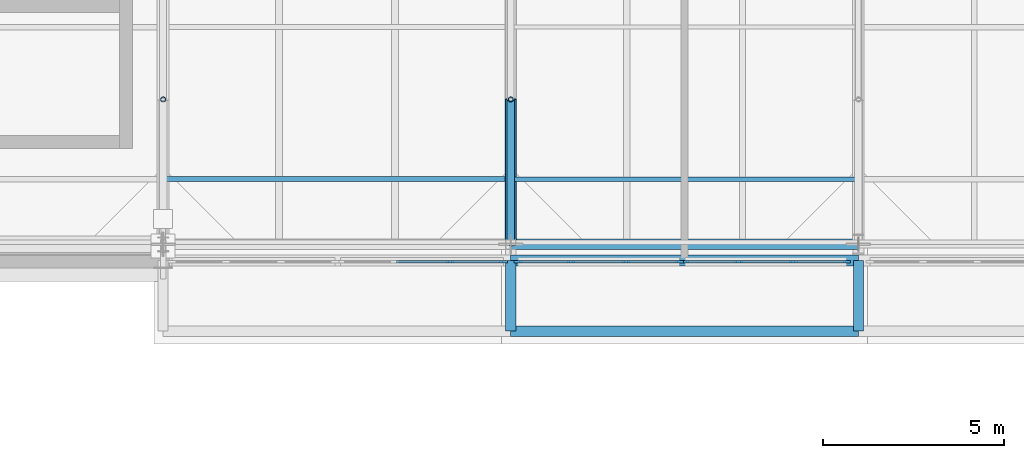
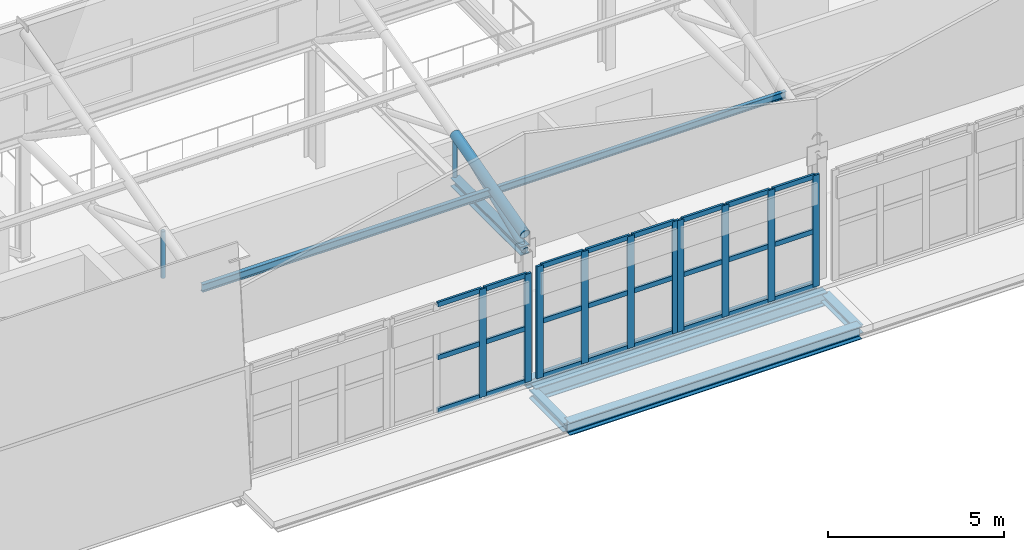
# One storey, part 21 of 89: 41 members, 5 beams, 3 elements without a shape of their own.
"""IFC4 building model written with IfcOpenShell, lengths in metres."""

from ifc_helpers import new_model, si_unit, direction, frame, origin, origin_2d, place, context, subcontext, project, spatial, rectangle, hollow_circle, i_section, extrude, material, layer, layer_set, material_profile, profile_set, type_object, element, aggregate, save


model = new_model("IFC4")

# Units and contexts
model_context = context("Model", 3, precision=1e-05, world=origin(), true_north=direction((0.0, 1.0)))
body_context = subcontext(model_context, "Body", "Model", "MODEL_VIEW")
ifc_project = project(units=[si_unit("LENGTHUNIT", "METRE"), si_unit("AREAUNIT", "SQUARE_METRE"), si_unit("VOLUMEUNIT", "CUBIC_METRE"), si_unit("PLANEANGLEUNIT", "RADIAN"), si_unit("MASSUNIT", "GRAM", prefix="KILO")], contexts=[model_context])

# Site, building, storey
site_placement = place(None, origin())
site = spatial("IfcSite", under=ifc_project, at=site_placement, CompositionType="ELEMENT")
building_placement = place(site_placement, origin())
building = spatial("IfcBuilding", under=site, at=building_placement, Name="Zereglee Splitstone Museum", CompositionType="ELEMENT")
storey_placement = place(building_placement, frame((0.0, 0.0, 21.300048828125)))
storey = spatial("IfcBuildingStorey", under=building, at=storey_placement, Name="L04", CompositionType="ELEMENT", Elevation=21.300048828125)

# Member
ifc_material_1 = material(Name="Steel S355J2H", Category="steel")
ifc_material_profile_1 = material_profile(ifc_material_1, hollow_circle(Radius=0.109619140625, WallThickness=0.010009765625, at=origin_2d()), Name="CHS 219.1x10")
ifc_profile_set_1 = profile_set([ifc_material_profile_1], Name="Steel S355J2H")
member_type_1 = type_object("IfcMemberType", Name="TB-03", PredefinedType="BRACE", material=ifc_profile_set_1)
member_1_placement = place(storey_placement, frame((106.800048828125, 9.60009765625, 4.199951171875), z_axis=(0.0, 0.927136001435, 0.374725012299), x_axis=(-1.0, 0.0, 0.0)))
element("IfcMember", 1, at=member_1_placement, inside=storey, type_object=member_type_1, Name="Roof Truss ST-04 Diagonal 1.1", PredefinedType="BRACE", context=body_context, shape_type="SweptSolid", body=[
    extrude(hollow_circle(Radius=0.109619140625, WallThickness=0.010009765625, at=origin_2d()), origin(), (0.0, 0.0, 1.0), 4.314453125),
])

# Curtain wall, members
ifc_material_2 = material(Name="Triple-glazed low-E argon glass and bronze-anodised aluminium", Category="aluminium")
ifc_layer_1 = layer(ifc_material_2, 0.219970703125)
ifc_layer_set_1 = layer_set([ifc_layer_1], Name="Triple-glazed low-E argon glass and bronze-anodised aluminium")
curtain_wall_type_1 = type_object("IfcCurtainWallType", Name="CW-0458-376", PredefinedType="USERDEFINED", material=ifc_layer_set_1)
curtain_wall_1_placement = place(storey_placement, origin())
curtain_wall_1 = element("IfcCurtainWall", 2, at=curtain_wall_1_placement, inside=storey, type_object=curtain_wall_type_1, Name="Glazed Curtain Wall CW-0458-376 (L04)", ObjectType="GLAZED CURTAIN WALL", PredefinedType="USERDEFINED")
ifc_material_3 = material(Name="Thermally broken bronze-anodised aluminium", Category="aluminium")
ifc_material_profile_2 = material_profile(ifc_material_3, rectangle(XDim=0.074951171875, YDim=0.219970703125, at=origin_2d()), Name="CW MULL 75x220")
ifc_profile_set_2 = profile_set([ifc_material_profile_2], Name="Thermally broken bronze-anodised aluminium")
member_type_2 = type_object("IfcMemberType", Name="CWM-02", PredefinedType="MULLION", material=ifc_profile_set_2)
member_2_placement = place(storey_placement, frame((105.116455078125, 9.1201171875, 0.0), z_axis=(0.0, 0.0, 1.0), x_axis=(0.0, 1.0, 0.0)))
member_2 = element("IfcMember", 3, at=member_2_placement, type_object=member_type_2, Name="CW-0458-376 mullion 3", PredefinedType="MULLION", context=body_context, shape_type="SweptSolid", body=[
    extrude(rectangle(XDim=0.074951171875, YDim=0.219970703125, at=origin_2d()), origin(), (0.0, 0.0, 1.0), 3.760009765625),
])
member_3_placement = place(storey_placement, frame((106.6044921875, 9.1201171875, 0.0), z_axis=(0.0, 0.0, 1.0), x_axis=(0.0, 1.0, 0.0)))
member_3 = element("IfcMember", 4, at=member_3_placement, type_object=member_type_2, Name="CW-0458-376 mullion 4", PredefinedType="MULLION", context=body_context, shape_type="SweptSolid", body=[
    extrude(rectangle(XDim=0.074951171875, YDim=0.219970703125, at=origin_2d()), origin(), (0.0, 0.0, 1.0), 3.760009765625),
])

ifc_layer_2 = layer(ifc_material_2, 0.219970703125)
ifc_layer_set_2 = layer_set([ifc_layer_2], Name="Triple-glazed low-E argon glass and bronze-anodised aluminium")
curtain_wall_type_2 = type_object("IfcCurtainWallType", Name="CW-0454-390", PredefinedType="USERDEFINED", material=ifc_layer_set_2)
curtain_wall_2_placement = place(storey_placement, origin())
curtain_wall_2 = element("IfcCurtainWall", 5, at=curtain_wall_2_placement, inside=storey, type_object=curtain_wall_type_2, Name="Glazed Curtain Wall CW-0454-390 (L04)", ObjectType="GLAZED CURTAIN WALL", PredefinedType="USERDEFINED")
member_4_placement = place(storey_placement, frame((106.99560546875, 9.1201171875, 0.0), z_axis=(0.0, 0.0, 1.0), x_axis=(0.0, 1.0, 0.0)))
member_4 = element("IfcMember", 6, at=member_4_placement, type_object=member_type_2, Name="CW-0454-390 mullion 1", PredefinedType="MULLION", context=body_context, shape_type="SweptSolid", body=[
    extrude(rectangle(XDim=0.074951171875, YDim=0.219970703125, at=origin_2d()), origin(), (0.0, 0.0, 1.0), 3.89990234375),
])
member_5_placement = place(storey_placement, frame((108.47119140625, 9.1201171875, 0.0), z_axis=(0.0, 0.0, 1.0), x_axis=(0.0, 1.0, 0.0)))
member_5 = element("IfcMember", 7, at=member_5_placement, type_object=member_type_2, Name="CW-0454-390 mullion 2", PredefinedType="MULLION", context=body_context, shape_type="SweptSolid", body=[
    extrude(rectangle(XDim=0.074951171875, YDim=0.219970703125, at=origin_2d()), origin(), (0.0, 0.0, 1.0), 3.89990234375),
])
member_6_placement = place(storey_placement, frame((109.984375, 9.1201171875, 0.0), z_axis=(0.0, 0.0, 1.0), x_axis=(0.0, 1.0, 0.0)))
member_6 = element("IfcMember", 8, at=member_6_placement, type_object=member_type_2, Name="CW-0454-390 mullion 3", PredefinedType="MULLION", context=body_context, shape_type="SweptSolid", body=[
    extrude(rectangle(XDim=0.074951171875, YDim=0.219970703125, at=origin_2d()), origin(), (0.0, 0.0, 1.0), 3.89990234375),
])
member_7_placement = place(storey_placement, frame((111.4599609375, 9.1201171875, 0.0), z_axis=(0.0, 0.0, 1.0), x_axis=(0.0, 1.0, 0.0)))
member_7 = element("IfcMember", 9, at=member_7_placement, type_object=member_type_2, Name="CW-0454-390 mullion 4", PredefinedType="MULLION", context=body_context, shape_type="SweptSolid", body=[
    extrude(rectangle(XDim=0.074951171875, YDim=0.219970703125, at=origin_2d()), origin(), (0.0, 0.0, 1.0), 3.89990234375),
])

ifc_layer_3 = layer(ifc_material_2, 0.219970703125)
ifc_layer_set_3 = layer_set([ifc_layer_3], Name="Triple-glazed low-E argon glass and bronze-anodised aluminium")
curtain_wall_type_3 = type_object("IfcCurtainWallType", Name="CW-0454-388", PredefinedType="USERDEFINED", material=ifc_layer_set_3)
curtain_wall_3_placement = place(storey_placement, origin())
curtain_wall_3 = element("IfcCurtainWall", 10, at=curtain_wall_3_placement, inside=storey, type_object=curtain_wall_type_3, Name="Glazed Curtain Wall CW-0454-388 (L04)", ObjectType="GLAZED CURTAIN WALL", PredefinedType="USERDEFINED")
member_8_placement = place(storey_placement, frame((111.614990234375, 9.1201171875, 0.0), z_axis=(0.0, 0.0, 1.0), x_axis=(0.0, 1.0, 0.0)))
member_8 = element("IfcMember", 11, at=member_8_placement, type_object=member_type_2, Name="CW-0454-388 mullion 1", PredefinedType="MULLION", context=body_context, shape_type="SweptSolid", body=[
    extrude(rectangle(XDim=0.074951171875, YDim=0.219970703125, at=origin_2d()), origin(), (0.0, 0.0, 1.0), 3.8798828125),
])
member_9_placement = place(storey_placement, frame((113.090576171875, 9.1201171875, 0.0), z_axis=(0.0, 0.0, 1.0), x_axis=(0.0, 1.0, 0.0)))
member_9 = element("IfcMember", 12, at=member_9_placement, type_object=member_type_2, Name="CW-0454-388 mullion 2", PredefinedType="MULLION", context=body_context, shape_type="SweptSolid", body=[
    extrude(rectangle(XDim=0.074951171875, YDim=0.219970703125, at=origin_2d()), origin(), (0.0, 0.0, 1.0), 3.8798828125),
])
member_10_placement = place(storey_placement, frame((114.603759765625, 9.1201171875, 0.0), z_axis=(0.0, 0.0, 1.0), x_axis=(0.0, 1.0, 0.0)))
member_10 = element("IfcMember", 13, at=member_10_placement, type_object=member_type_2, Name="CW-0454-388 mullion 3", PredefinedType="MULLION", context=body_context, shape_type="SweptSolid", body=[
    extrude(rectangle(XDim=0.074951171875, YDim=0.219970703125, at=origin_2d()), origin(), (0.0, 0.0, 1.0), 3.8798828125),
])
member_11_placement = place(storey_placement, frame((116.07958984375, 9.1201171875, 0.0), z_axis=(0.0, 0.0, 1.0), x_axis=(0.0, 1.0, 0.0)))
member_11 = element("IfcMember", 14, at=member_11_placement, type_object=member_type_2, Name="CW-0454-388 mullion 4", PredefinedType="MULLION", context=body_context, shape_type="SweptSolid", body=[
    extrude(rectangle(XDim=0.074951171875, YDim=0.219970703125, at=origin_2d()), origin(), (0.0, 0.0, 1.0), 3.8798828125),
])

# Member
ifc_material_profile_3 = material_profile(ifc_material_3, rectangle(XDim=0.074951171875, YDim=0.1650390625, at=origin_2d()), Name="CW TRAN 75x165")
ifc_profile_set_3 = profile_set([ifc_material_profile_3], Name="Thermally broken bronze-anodised aluminium")
member_type_3 = type_object("IfcMemberType", Name="CWT-02", PredefinedType="USERDEFINED", material=ifc_profile_set_3)
member_12_placement = place(storey_placement, frame((103.628173828125, 9.1201171875, 0.037353515625), z_axis=(1.0, 0.0, 0.0), x_axis=(0.0, 1.0, 0.0)))
member_12 = element("IfcMember", 15, at=member_12_placement, type_object=member_type_3, Name="CW-0458-376 transom 2.1", ObjectType="TRANSOM", PredefinedType="USERDEFINED", context=body_context, shape_type="SweptSolid", body=[
    extrude(rectangle(XDim=0.074951171875, YDim=0.1650390625, at=origin_2d()), origin(), (0.0, 0.0, 1.0), 1.45068359375),
])

member_13_placement = place(storey_placement, frame((103.628173828125, 9.1201171875, 1.8798828125), z_axis=(1.0, 0.0, 0.0), x_axis=(0.0, 1.0, 0.0)))
member_13 = element("IfcMember", 16, at=member_13_placement, type_object=member_type_3, Name="CW-0458-376 transom 2.2", ObjectType="TRANSOM", PredefinedType="USERDEFINED", context=body_context, shape_type="SweptSolid", body=[
    extrude(rectangle(XDim=0.074951171875, YDim=0.1650390625, at=origin_2d()), origin(), (0.0, 0.0, 1.0), 1.45068359375),
])

member_14_placement = place(storey_placement, frame((103.628173828125, 9.1201171875, 3.722412109375), z_axis=(1.0, 0.0, 0.0), x_axis=(0.0, 1.0, 0.0)))
member_14 = element("IfcMember", 17, at=member_14_placement, type_object=member_type_3, Name="CW-0458-376 transom 2.3", ObjectType="TRANSOM", PredefinedType="USERDEFINED", context=body_context, shape_type="SweptSolid", body=[
    extrude(rectangle(XDim=0.074951171875, YDim=0.1650390625, at=origin_2d()), origin(), (0.0, 0.0, 1.0), 1.45068359375),
])

member_15_placement = place(storey_placement, frame((105.15380859375, 9.1201171875, 0.037353515625), z_axis=(1.0, 0.0, 0.0), x_axis=(0.0, 1.0, 0.0)))
member_15 = element("IfcMember", 18, at=member_15_placement, type_object=member_type_3, Name="CW-0458-376 transom 3.1", ObjectType="TRANSOM", PredefinedType="USERDEFINED", context=body_context, shape_type="SweptSolid", body=[
    extrude(rectangle(XDim=0.074951171875, YDim=0.1650390625, at=origin_2d()), origin(), (0.0, 0.0, 1.0), 1.4130859375),
])

member_16_placement = place(storey_placement, frame((105.15380859375, 9.1201171875, 1.8798828125), z_axis=(1.0, 0.0, 0.0), x_axis=(0.0, 1.0, 0.0)))
member_16 = element("IfcMember", 19, at=member_16_placement, type_object=member_type_3, Name="CW-0458-376 transom 3.2", ObjectType="TRANSOM", PredefinedType="USERDEFINED", context=body_context, shape_type="SweptSolid", body=[
    extrude(rectangle(XDim=0.074951171875, YDim=0.1650390625, at=origin_2d()), origin(), (0.0, 0.0, 1.0), 1.4130859375),
])

member_17_placement = place(storey_placement, frame((105.15380859375, 9.1201171875, 3.722412109375), z_axis=(1.0, 0.0, 0.0), x_axis=(0.0, 1.0, 0.0)))
member_17 = element("IfcMember", 20, at=member_17_placement, type_object=member_type_3, Name="CW-0458-376 transom 3.3", ObjectType="TRANSOM", PredefinedType="USERDEFINED", context=body_context, shape_type="SweptSolid", body=[
    extrude(rectangle(XDim=0.074951171875, YDim=0.1650390625, at=origin_2d()), origin(), (0.0, 0.0, 1.0), 1.4130859375),
])

aggregate(curtain_wall_1, [member_2, member_3, member_12, member_13, member_14, member_15, member_16, member_17])

member_18_placement = place(storey_placement, frame((107.032958984375, 9.1201171875, 0.037353515625), z_axis=(1.0, 0.0, 0.0), x_axis=(0.0, 1.0, 0.0)))
member_18 = element("IfcMember", 21, at=member_18_placement, type_object=member_type_3, Name="CW-0454-390 transom 1.1", ObjectType="TRANSOM", PredefinedType="USERDEFINED", context=body_context, shape_type="SweptSolid", body=[
    extrude(rectangle(XDim=0.074951171875, YDim=0.1650390625, at=origin_2d()), origin(), (0.0, 0.0, 1.0), 1.400634765625),
])

member_19_placement = place(storey_placement, frame((107.032958984375, 9.1201171875, 1.949951171875), z_axis=(1.0, 0.0, 0.0), x_axis=(0.0, 1.0, 0.0)))
member_19 = element("IfcMember", 22, at=member_19_placement, type_object=member_type_3, Name="CW-0454-390 transom 1.2", ObjectType="TRANSOM", PredefinedType="USERDEFINED", context=body_context, shape_type="SweptSolid", body=[
    extrude(rectangle(XDim=0.074951171875, YDim=0.1650390625, at=origin_2d()), origin(), (0.0, 0.0, 1.0), 1.400634765625),
])

member_20_placement = place(storey_placement, frame((107.032958984375, 9.1201171875, 3.862548828125), z_axis=(1.0, 0.0, 0.0), x_axis=(0.0, 1.0, 0.0)))
member_20 = element("IfcMember", 23, at=member_20_placement, type_object=member_type_3, Name="CW-0454-390 transom 1.3", ObjectType="TRANSOM", PredefinedType="USERDEFINED", context=body_context, shape_type="SweptSolid", body=[
    extrude(rectangle(XDim=0.074951171875, YDim=0.1650390625, at=origin_2d()), origin(), (0.0, 0.0, 1.0), 1.400634765625),
])

member_21_placement = place(storey_placement, frame((108.508544921875, 9.1201171875, 0.037353515625), z_axis=(1.0, 0.0, 0.0), x_axis=(0.0, 1.0, 0.0)))
member_21 = element("IfcMember", 24, at=member_21_placement, type_object=member_type_3, Name="CW-0454-390 transom 2.1", ObjectType="TRANSOM", PredefinedType="USERDEFINED", context=body_context, shape_type="SweptSolid", body=[
    extrude(rectangle(XDim=0.074951171875, YDim=0.1650390625, at=origin_2d()), origin(), (0.0, 0.0, 1.0), 1.438232421875),
])

member_22_placement = place(storey_placement, frame((108.508544921875, 9.1201171875, 1.949951171875), z_axis=(1.0, 0.0, 0.0), x_axis=(0.0, 1.0, 0.0)))
member_22 = element("IfcMember", 25, at=member_22_placement, type_object=member_type_3, Name="CW-0454-390 transom 2.2", ObjectType="TRANSOM", PredefinedType="USERDEFINED", context=body_context, shape_type="SweptSolid", body=[
    extrude(rectangle(XDim=0.074951171875, YDim=0.1650390625, at=origin_2d()), origin(), (0.0, 0.0, 1.0), 1.438232421875),
])

member_23_placement = place(storey_placement, frame((108.508544921875, 9.1201171875, 3.862548828125), z_axis=(1.0, 0.0, 0.0), x_axis=(0.0, 1.0, 0.0)))
member_23 = element("IfcMember", 26, at=member_23_placement, type_object=member_type_3, Name="CW-0454-390 transom 2.3", ObjectType="TRANSOM", PredefinedType="USERDEFINED", context=body_context, shape_type="SweptSolid", body=[
    extrude(rectangle(XDim=0.074951171875, YDim=0.1650390625, at=origin_2d()), origin(), (0.0, 0.0, 1.0), 1.438232421875),
])

member_24_placement = place(storey_placement, frame((110.021728515625, 9.1201171875, 0.037353515625), z_axis=(1.0, 0.0, 0.0), x_axis=(0.0, 1.0, 0.0)))
member_24 = element("IfcMember", 27, at=member_24_placement, type_object=member_type_3, Name="CW-0454-390 transom 3.1", ObjectType="TRANSOM", PredefinedType="USERDEFINED", context=body_context, shape_type="SweptSolid", body=[
    extrude(rectangle(XDim=0.074951171875, YDim=0.1650390625, at=origin_2d()), origin(), (0.0, 0.0, 1.0), 1.40087890625),
])

member_25_placement = place(storey_placement, frame((110.021728515625, 9.1201171875, 1.949951171875), z_axis=(1.0, 0.0, 0.0), x_axis=(0.0, 1.0, 0.0)))
member_25 = element("IfcMember", 28, at=member_25_placement, type_object=member_type_3, Name="CW-0454-390 transom 3.2", ObjectType="TRANSOM", PredefinedType="USERDEFINED", context=body_context, shape_type="SweptSolid", body=[
    extrude(rectangle(XDim=0.074951171875, YDim=0.1650390625, at=origin_2d()), origin(), (0.0, 0.0, 1.0), 1.40087890625),
])

member_26_placement = place(storey_placement, frame((110.021728515625, 9.1201171875, 3.862548828125), z_axis=(1.0, 0.0, 0.0), x_axis=(0.0, 1.0, 0.0)))
member_26 = element("IfcMember", 29, at=member_26_placement, type_object=member_type_3, Name="CW-0454-390 transom 3.3", ObjectType="TRANSOM", PredefinedType="USERDEFINED", context=body_context, shape_type="SweptSolid", body=[
    extrude(rectangle(XDim=0.074951171875, YDim=0.1650390625, at=origin_2d()), origin(), (0.0, 0.0, 1.0), 1.40087890625),
])

aggregate(curtain_wall_2, [member_4, member_5, member_6, member_7, member_18, member_19, member_20, member_21, member_22, member_23, member_24, member_25, member_26])

member_27_placement = place(storey_placement, frame((111.652587890625, 9.1201171875, 0.037353515625), z_axis=(1.0, 0.0, 0.0), x_axis=(0.0, 1.0, 0.0)))
member_27 = element("IfcMember", 30, at=member_27_placement, type_object=member_type_3, Name="CW-0454-388 transom 1.1", ObjectType="TRANSOM", PredefinedType="USERDEFINED", context=body_context, shape_type="SweptSolid", body=[
    extrude(rectangle(XDim=0.074951171875, YDim=0.1650390625, at=origin_2d()), origin(), (0.0, 0.0, 1.0), 1.400634765625),
])

member_28_placement = place(storey_placement, frame((111.652587890625, 9.1201171875, 1.93994140625), z_axis=(1.0, 0.0, 0.0), x_axis=(0.0, 1.0, 0.0)))
member_28 = element("IfcMember", 31, at=member_28_placement, type_object=member_type_3, Name="CW-0454-388 transom 1.2", ObjectType="TRANSOM", PredefinedType="USERDEFINED", context=body_context, shape_type="SweptSolid", body=[
    extrude(rectangle(XDim=0.074951171875, YDim=0.1650390625, at=origin_2d()), origin(), (0.0, 0.0, 1.0), 1.400634765625),
])

member_29_placement = place(storey_placement, frame((111.652587890625, 9.1201171875, 3.842529296875), z_axis=(1.0, 0.0, 0.0), x_axis=(0.0, 1.0, 0.0)))
member_29 = element("IfcMember", 32, at=member_29_placement, type_object=member_type_3, Name="CW-0454-388 transom 1.3", ObjectType="TRANSOM", PredefinedType="USERDEFINED", context=body_context, shape_type="SweptSolid", body=[
    extrude(rectangle(XDim=0.074951171875, YDim=0.1650390625, at=origin_2d()), origin(), (0.0, 0.0, 1.0), 1.400634765625),
])

member_30_placement = place(storey_placement, frame((113.128173828125, 9.1201171875, 0.037353515625), z_axis=(1.0, 0.0, 0.0), x_axis=(0.0, 1.0, 0.0)))
member_30 = element("IfcMember", 33, at=member_30_placement, type_object=member_type_3, Name="CW-0454-388 transom 2.1", ObjectType="TRANSOM", PredefinedType="USERDEFINED", context=body_context, shape_type="SweptSolid", body=[
    extrude(rectangle(XDim=0.074951171875, YDim=0.1650390625, at=origin_2d()), origin(), (0.0, 0.0, 1.0), 1.438232421875),
])

member_31_placement = place(storey_placement, frame((113.128173828125, 9.1201171875, 1.93994140625), z_axis=(1.0, 0.0, 0.0), x_axis=(0.0, 1.0, 0.0)))
member_31 = element("IfcMember", 34, at=member_31_placement, type_object=member_type_3, Name="CW-0454-388 transom 2.2", ObjectType="TRANSOM", PredefinedType="USERDEFINED", context=body_context, shape_type="SweptSolid", body=[
    extrude(rectangle(XDim=0.074951171875, YDim=0.1650390625, at=origin_2d()), origin(), (0.0, 0.0, 1.0), 1.438232421875),
])

member_32_placement = place(storey_placement, frame((113.128173828125, 9.1201171875, 3.842529296875), z_axis=(1.0, 0.0, 0.0), x_axis=(0.0, 1.0, 0.0)))
member_32 = element("IfcMember", 35, at=member_32_placement, type_object=member_type_3, Name="CW-0454-388 transom 2.3", ObjectType="TRANSOM", PredefinedType="USERDEFINED", context=body_context, shape_type="SweptSolid", body=[
    extrude(rectangle(XDim=0.074951171875, YDim=0.1650390625, at=origin_2d()), origin(), (0.0, 0.0, 1.0), 1.438232421875),
])

member_33_placement = place(storey_placement, frame((114.641357421875, 9.1201171875, 0.037353515625), z_axis=(1.0, 0.0, 0.0), x_axis=(0.0, 1.0, 0.0)))
member_33 = element("IfcMember", 36, at=member_33_placement, type_object=member_type_3, Name="CW-0454-388 transom 3.1", ObjectType="TRANSOM", PredefinedType="USERDEFINED", context=body_context, shape_type="SweptSolid", body=[
    extrude(rectangle(XDim=0.074951171875, YDim=0.1650390625, at=origin_2d()), origin(), (0.0, 0.0, 1.0), 1.400634765625),
])

member_34_placement = place(storey_placement, frame((114.641357421875, 9.1201171875, 1.93994140625), z_axis=(1.0, 0.0, 0.0), x_axis=(0.0, 1.0, 0.0)))
member_34 = element("IfcMember", 37, at=member_34_placement, type_object=member_type_3, Name="CW-0454-388 transom 3.2", ObjectType="TRANSOM", PredefinedType="USERDEFINED", context=body_context, shape_type="SweptSolid", body=[
    extrude(rectangle(XDim=0.074951171875, YDim=0.1650390625, at=origin_2d()), origin(), (0.0, 0.0, 1.0), 1.400634765625),
])

member_35_placement = place(storey_placement, frame((114.641357421875, 9.1201171875, 3.842529296875), z_axis=(1.0, 0.0, 0.0), x_axis=(0.0, 1.0, 0.0)))
member_35 = element("IfcMember", 38, at=member_35_placement, type_object=member_type_3, Name="CW-0454-388 transom 3.3", ObjectType="TRANSOM", PredefinedType="USERDEFINED", context=body_context, shape_type="SweptSolid", body=[
    extrude(rectangle(XDim=0.074951171875, YDim=0.1650390625, at=origin_2d()), origin(), (0.0, 0.0, 1.0), 1.400634765625),
])

aggregate(curtain_wall_3, [member_8, member_9, member_10, member_11, member_27, member_28, member_29, member_30, member_31, member_32, member_33, member_34, member_35])

# Members
ifc_material_profile_4 = material_profile(ifc_material_1, hollow_circle(Radius=0.161865234375, WallThickness=0.01611328125, at=origin_2d()), Name="CHS 323.9x16")
ifc_profile_set_4 = profile_set([ifc_material_profile_4], Name="Steel S355J2H")
member_type_4 = type_object("IfcMemberType", Name="TC-05", PredefinedType="CHORD", material=ifc_profile_set_4)
member_36_placement = place(storey_placement, frame((106.800048828125, 9.60009765625, 4.75), z_axis=(0.0, 0.966235918422, 0.257658979955), x_axis=(-1.0, 0.0, 0.0)))
element("IfcMember", 39, at=member_36_placement, inside=storey, type_object=member_type_4, Name="Roof Truss ST-04 Top Chord 1.1", PredefinedType="CHORD", context=body_context, shape_type="SweptSolid", body=[
    extrude(hollow_circle(Radius=0.161865234375, WallThickness=0.01611328125, at=origin_2d()), origin(), (0.0, 0.0, 1.0), 4.139892578125),
])
ifc_material_4 = material(Name="Steel S355J2", Category="steel")
ifc_material_profile_5 = material_profile(ifc_material_4, i_section(OverallWidth=0.300048828125, OverallDepth=0.300048828125, WebThickness=0.010986328125, FlangeThickness=0.01904296875, FilletRadius=0.027099609375, at=origin_2d()), Name="HE 300 B")
ifc_profile_set_5 = profile_set([ifc_material_profile_5], Name="Steel S355J2")
member_type_5 = type_object("IfcMemberType", Name="TC-07", PredefinedType="CHORD", material=ifc_profile_set_5)
member_37_placement = place(storey_placement, frame((106.800048828125, 9.60009765625, 4.199951171875), z_axis=(0.0, 1.0, 0.0), x_axis=(-1.0, 0.0, 0.0)))
element("IfcMember", 40, at=member_37_placement, inside=storey, type_object=member_type_5, Name="Roof Truss ST-04 Bottom Chord 1.1", PredefinedType="CHORD", context=body_context, shape_type="SweptSolid", body=[
    extrude(i_section(OverallWidth=0.300048828125, OverallDepth=0.300048828125, WebThickness=0.010986328125, FlangeThickness=0.01904296875, FilletRadius=0.027099609375, at=origin_2d()), origin(), (0.0, 0.0, 1.0), 4.0),
])
ifc_material_profile_6 = material_profile(ifc_material_1, hollow_circle(Radius=0.06982421875, WallThickness=0.008056640625, at=origin_2d()), Name="CHS 139.7x8")
ifc_profile_set_6 = profile_set([ifc_material_profile_6], Name="Steel S355J2H")
member_type_6 = type_object("IfcMemberType", Name="TP-03", PredefinedType="POST", material=ifc_profile_set_6)
for number, where, z_axis, x_axis, name in (
    (41, (97.199951171875, 13.60009765625, 4.199951171875), (0.0, 0.0, 1.0), (1.0, 0.0, 0.0), "Roof Truss ST-03 Post 1.1"),
    (42, (106.800048828125, 13.60009765625, 4.199951171875), (0.0, 0.0, 1.0), (1.0, 0.0, 0.0), "Roof Truss ST-04 Post 1.1"),
):
    element("IfcMember", number, at=place(storey_placement, frame(where, z_axis=z_axis, x_axis=x_axis)), inside=storey, type_object=member_type_6, Name=name, PredefinedType="POST", context=body_context, shape_type="SweptSolid", body=[
        extrude(hollow_circle(Radius=0.06982421875, WallThickness=0.008056640625, at=origin_2d()), origin(), (0.0, 0.0, 1.0), 1.61669921875),
    ])
ifc_material_profile_7 = material_profile(ifc_material_4, i_section(OverallWidth=0.1201171875, OverallDepth=0.239990234375, WebThickness=0.006103515625, FlangeThickness=0.009765625, FilletRadius=0.014892578125, at=origin_2d()), Name="IPE 240")
ifc_profile_set_7 = profile_set([ifc_material_profile_7], Name="Steel S355J2")
member_type_7 = type_object("IfcMemberType", Name="PR-03", PredefinedType="PURLIN", material=ifc_profile_set_7)
member_38_placement = place(storey_placement, frame((106.800048828125, 11.39990234375, 5.18408203125), z_axis=(1.0, 0.0, 0.0), x_axis=(0.0, 1.0, 0.0)))
element("IfcMember", 43, at=member_38_placement, inside=storey, type_object=member_type_7, Name="Sawtooth Roof Purlin B4-S1-1", PredefinedType="PURLIN", context=body_context, shape_type="SweptSolid", body=[
    extrude(i_section(OverallWidth=0.1201171875, OverallDepth=0.239990234375, WebThickness=0.006103515625, FlangeThickness=0.009765625, FilletRadius=0.014892578125, at=origin_2d()), origin(), (0.0, 0.0, 1.0), 9.599853515625),
])
ifc_material_profile_8 = material_profile(ifc_material_4, i_section(OverallWidth=0.135009765625, OverallDepth=0.27001953125, WebThickness=0.006591796875, FlangeThickness=0.01025390625, FilletRadius=0.014892578125, at=origin_2d()), Name="IPE 270")
ifc_profile_set_8 = profile_set([ifc_material_profile_8], Name="Steel S355J2")
member_type_8 = type_object("IfcMemberType", Name="PR-02", PredefinedType="PURLIN", material=ifc_profile_set_8)
member_39_placement = place(storey_placement, frame((97.199951171875, 11.39990234375, 5.168701171875), z_axis=(1.0, 0.0, 0.0), x_axis=(0.0, 1.0, 0.0)))
element("IfcMember", 44, at=member_39_placement, inside=storey, type_object=member_type_8, Name="Sawtooth Roof Purlin B3-S1-1", PredefinedType="PURLIN", context=body_context, shape_type="SweptSolid", body=[
    extrude(i_section(OverallWidth=0.135009765625, OverallDepth=0.27001953125, WebThickness=0.006591796875, FlangeThickness=0.01025390625, FilletRadius=0.014892578125, at=origin_2d()), origin(), (0.0, 0.0, 1.0), 9.60009765625),
])

# Beams
ifc_material_profile_9 = material_profile(ifc_material_4, i_section(OverallWidth=0.280029296875, OverallDepth=0.280029296875, WebThickness=0.010498046875, FlangeThickness=0.01806640625, FilletRadius=0.02392578125, at=origin_2d()), Name="HE 280 B")
ifc_profile_set_9 = profile_set([ifc_material_profile_9], Name="Steel S355J2")
beam_type_1 = type_object("IfcBeamType", Name="SP-03", PredefinedType="SPANDREL", material=ifc_profile_set_9)
beam_placement = place(storey_placement, frame((106.800048828125, 9.60009765625, -0.400146484375), z_axis=(1.0, 0.0, 0.0), x_axis=(0.0, 1.0, 0.0)))
element("IfcBeam", 45, at=beam_placement, inside=storey, type_object=beam_type_1, Name="Primary Girder L04 B (106.8-116.4)", PredefinedType="SPANDREL", context=body_context, shape_type="SweptSolid", body=[
    extrude(i_section(OverallWidth=0.280029296875, OverallDepth=0.280029296875, WebThickness=0.010498046875, FlangeThickness=0.01806640625, FilletRadius=0.02392578125, at=origin_2d()), origin(), (0.0, 0.0, 1.0), 9.599853515625),
])
for number, where, z_axis, x_axis, name in (
    (46, (106.800048828125, 7.199951171875, -0.485107421875), (0.0, 1.0, 0.0), (-1.0, 0.0, 0.0), "Pishtaq Return Tie Beam PSQ-ATRS-1 (106.8)"),
    (47, (116.39990234375, 7.199951171875, -0.485107421875), (0.0, 1.0, 0.0), (-1.0, 0.0, 0.0), "Pishtaq Return Tie Beam PSQ-ATRS-2 (116.4)"),
):
    element("IfcBeam", number, at=place(storey_placement, frame(where, z_axis=z_axis, x_axis=x_axis)), inside=storey, type_object=beam_type_1, Name=name, PredefinedType="SPANDREL", context=body_context, shape_type="SweptSolid", body=[
        extrude(i_section(OverallWidth=0.280029296875, OverallDepth=0.280029296875, WebThickness=0.010498046875, FlangeThickness=0.01806640625, FilletRadius=0.02392578125, at=origin_2d()), origin(), (0.0, 0.0, 1.0), 1.949951171875),
    ])
ifc_material_profile_10 = material_profile(ifc_material_4, i_section(OverallWidth=0.300048828125, OverallDepth=0.449951171875, WebThickness=0.013916015625, FlangeThickness=0.02587890625, FilletRadius=0.027099609375, at=origin_2d()), Name="HE 450 B")
ifc_profile_set_10 = profile_set([ifc_material_profile_10], Name="Steel S355J2")
beam_type_2 = type_object("IfcBeamType", Name="SP-02", PredefinedType="SPANDREL", material=ifc_profile_set_10)
for number, where, z_axis, x_axis, name in (
    (48, (106.800048828125, 9.14990234375, -0.485107421875), (1.0, 0.0, 0.0), (0.0, 1.0, 0.0), "Hovering Soffit Spandrel L04 (106.8-116.4)"),
    (49, (106.800048828125, 7.199951171875, -0.485107421875), (1.0, 0.0, 0.0), (0.0, 1.0, 0.0), "Mughal Pishtaq Cornice Header Beam PSQ-ATRS-2"),
):
    element("IfcBeam", number, at=place(storey_placement, frame(where, z_axis=z_axis, x_axis=x_axis)), inside=storey, type_object=beam_type_2, Name=name, PredefinedType="SPANDREL", context=body_context, shape_type="SweptSolid", body=[
        extrude(i_section(OverallWidth=0.300048828125, OverallDepth=0.449951171875, WebThickness=0.013916015625, FlangeThickness=0.02587890625, FilletRadius=0.027099609375, at=origin_2d()), origin(), (0.0, 0.0, 1.0), 9.599853515625),
    ])

save(model, "model.ifc")
